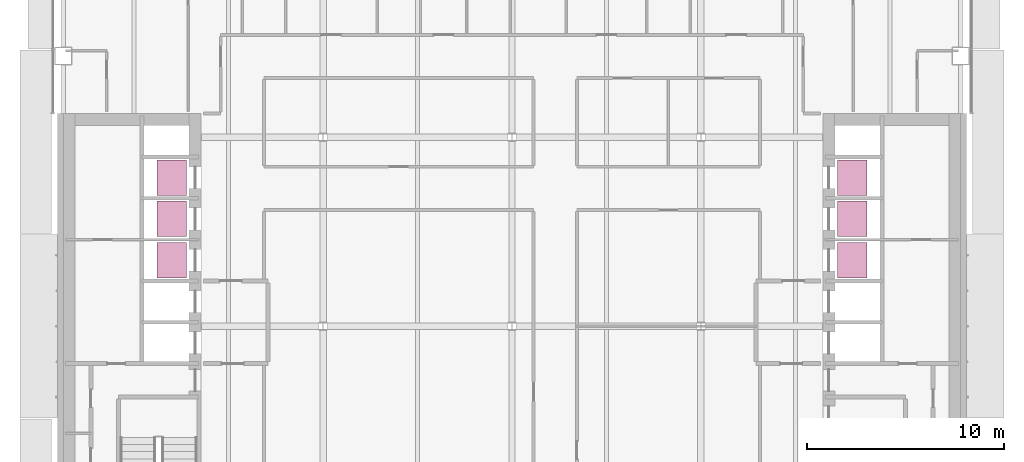
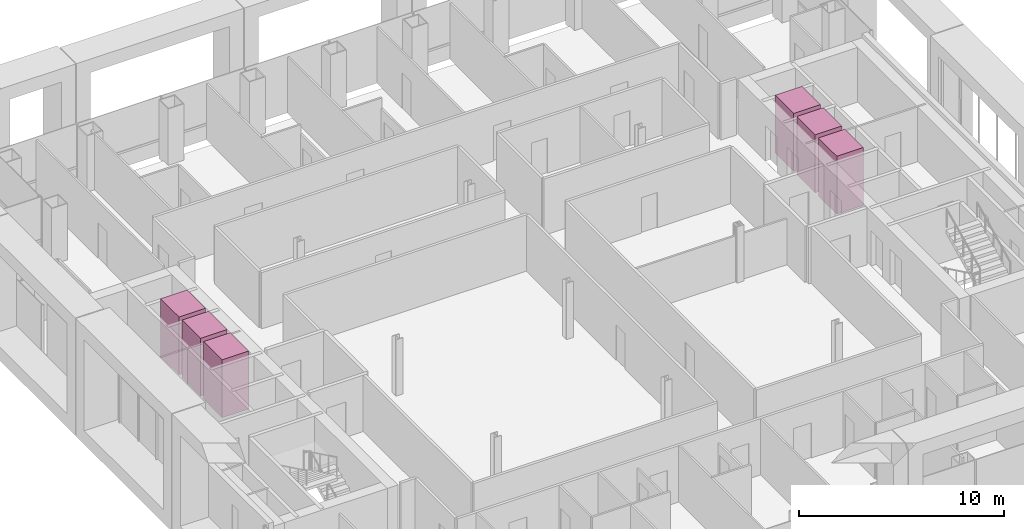
# One storey, part 20 of 20: 6 transport elements.
"""IFC4 building model written with IfcOpenShell, lengths in metres."""

from ifc_helpers import new_model, si_unit, direction, frame, origin, origin_2d, place, context, subcontext, project, spatial, rectangle, extrude, material, type_object, element, save


model = new_model("IFC4")

# Units and contexts
model_context = context("Model", 3, precision=1e-05, world=origin(), true_north=direction((0.0, 1.0)))
body_context = subcontext(model_context, "Body", "Model", "MODEL_VIEW")
ifc_project = project(units=[si_unit("LENGTHUNIT", "METRE"), si_unit("AREAUNIT", "SQUARE_METRE"), si_unit("VOLUMEUNIT", "CUBIC_METRE"), si_unit("PLANEANGLEUNIT", "RADIAN"), si_unit("MASSUNIT", "GRAM", prefix="KILO")], contexts=[model_context])

# Site, building, storey
site_placement = place(None, origin())
site = spatial("IfcSite", under=ifc_project, at=site_placement, CompositionType="ELEMENT")
building_placement = place(site_placement, origin())
building = spatial("IfcBuilding", under=site, at=building_placement, Name="Cobrizo Arcos Hotel Tower", CompositionType="ELEMENT")
storey_placement = place(building_placement, frame((0.0, 0.0, 96.0)))
storey = spatial("IfcBuildingStorey", under=building, at=storey_placement, Name="L23", CompositionType="ELEMENT", Elevation=96.0)

# Transport elements
ifc_material = material(Name="Stainless steel car", Category="steel")
transport_element_type = type_object("IfcTransportElementType", Name="Lift car Low 1.8x1.5", PredefinedType="ELEVATOR", material=ifc_material)
for number, where, z_axis, x_axis, name in (
    (1, (-17.300048828125, 3.35009765625, 0.0), (0.0, 0.0, 1.0), (1.0, 0.0, 0.0), "Low-rise passenger lift W1"),
    (2, (-17.300048828125, 5.449951171875, 0.0), (0.0, 0.0, 1.0), (1.0, 0.0, 0.0), "Low-rise passenger lift W2"),
    (3, (-17.300048828125, 7.550048828125, 0.0), (0.0, 0.0, 1.0), (1.0, 0.0, 0.0), "Low-rise passenger lift W3"),
    (4, (17.300048828125, 3.35009765625, 0.0), (0.0, 0.0, 1.0), (1.0, 0.0, 0.0), "Low-rise passenger lift E1"),
    (5, (17.300048828125, 5.449951171875, 0.0), (0.0, 0.0, 1.0), (1.0, 0.0, 0.0), "Low-rise passenger lift E2"),
    (6, (17.300048828125, 7.550048828125, 0.0), (0.0, 0.0, 1.0), (1.0, 0.0, 0.0), "Low-rise passenger lift E3"),
):
    element("IfcTransportElement", number, at=place(storey_placement, frame(where, z_axis=z_axis, x_axis=x_axis)), inside=storey, type_object=transport_element_type, Name=name, PredefinedType="ELEVATOR", context=body_context, shape_type="SweptSolid", body=[
        extrude(rectangle(XDim=1.5, YDim=1.800048828125, at=origin_2d()), origin(), (0.0, 0.0, 1.0), 3.449951171875),
    ])

save(model, "model.ifc")
